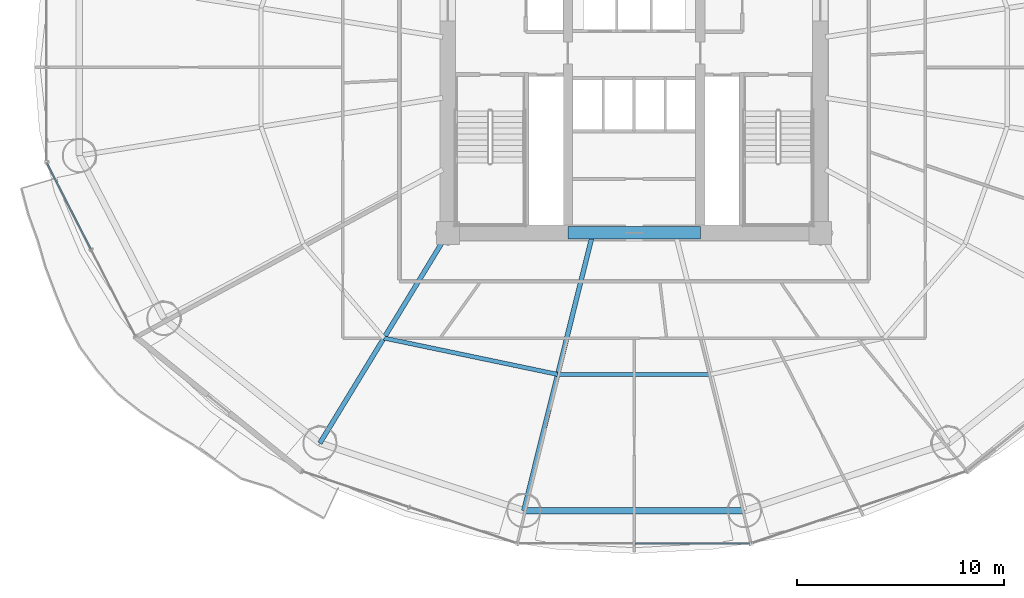
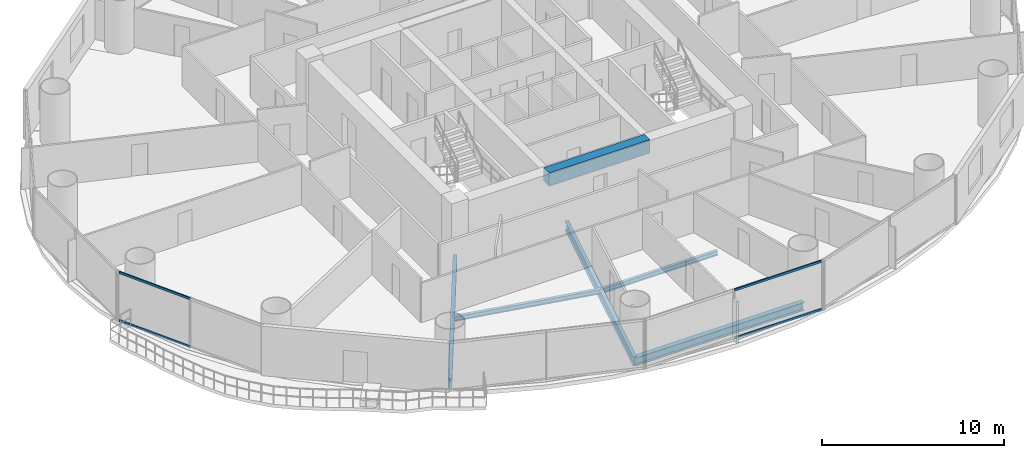
# One storey, part 6 of 30: 6 beams, 4 members, 2 elements without a shape of their own.
"""IFC4 building model written with IfcOpenShell, lengths in metres."""

from ifc_helpers import new_model, si_unit, direction, frame, origin, origin_2d, place, context, subcontext, project, spatial, rectangle, hollow_rectangle, i_section, extrude, source, transform, mapped, material, material_profile, profile_set, type_object, element, aggregate, save


model = new_model("IFC4")

# Units and contexts
model_context = context("Model", 3, precision=1e-05, world=origin(), true_north=direction((-0.2419218956, 0.970295726276)))
body_context = subcontext(model_context, "Body", "Model", "MODEL_VIEW")
ifc_project = project(units=[si_unit("LENGTHUNIT", "METRE"), si_unit("AREAUNIT", "SQUARE_METRE"), si_unit("VOLUMEUNIT", "CUBIC_METRE"), si_unit("PLANEANGLEUNIT", "RADIAN"), si_unit("MASSUNIT", "GRAM", prefix="KILO")], contexts=[model_context])

# Site, building, storey
site_placement = place(None, origin())
site = spatial("IfcSite", under=ifc_project, at=site_placement, CompositionType="ELEMENT")
building_placement = place(site_placement, origin())
building = spatial("IfcBuilding", under=site, at=building_placement, Name="Cobrevalo Terracotta Tower", CompositionType="ELEMENT")
storey_placement = place(building_placement, frame((0.0, 0.0, 56.39990234375)))
storey = spatial("IfcBuildingStorey", under=building, at=storey_placement, Name="L14", CompositionType="ELEMENT", Elevation=56.39990234375)

# Beams
ifc_material_1 = material(Name="Concrete C60", Category="concrete")
ifc_material_profile_1 = material_profile(ifc_material_1, rectangle(XDim=0.60009765625, YDim=0.89990234375, at=origin_2d()), Name="RC CB 600x900")
ifc_profile_set_1 = profile_set([ifc_material_profile_1], Name="Concrete C60")
beam_type_1 = type_object("IfcBeamType", Name="Structural Beam RC CB 600x900 (Concrete C60)", PredefinedType="BEAM", material=ifc_profile_set_1)
beam_1_placement = place(storey_placement, frame((34.800048828125, 18.800048828125, 2.8701171875), z_axis=(1.0, 0.0, 0.0), x_axis=(0.0, 1.0, 0.0)))
element("IfcBeam", 1, at=beam_1_placement, inside=storey, type_object=beam_type_1, Name="L14 core coupling beam 1", PredefinedType="BEAM", context=body_context, shape_type="SweptSolid", body=[
    extrude(rectangle(XDim=0.60009765625, YDim=0.89990234375, at=origin_2d()), origin(), (0.0, 0.0, 1.0), 6.39990234375),
])
ifc_material_2 = material(Name="Steel S355", Category="steel")
ifc_material_profile_2 = material_profile(ifc_material_2, i_section(OverallWidth=0.22998046875, OverallDepth=0.616943359375, WebThickness=0.01318359375, FlangeThickness=0.022216796875, at=origin_2d()), Name="W 610x140")
ifc_profile_set_2 = profile_set([ifc_material_profile_2], Name="Steel S355")
beam_type_2 = type_object("IfcBeamType", Name="Structural Beam W 610x140 (Steel S355)", PredefinedType="BEAM", material=ifc_profile_set_2)
beam_2_placement = place(storey_placement, frame((22.80517578125, 8.63232421875, -0.58837890625), z_axis=(0.520300780853, 0.853983077961, 0.0), x_axis=(-0.853983077961, 0.520300780853, 0.0)))
element("IfcBeam", 2, at=beam_2_placement, inside=storey, type_object=beam_type_2, Name="L14 radial floor girder 11", PredefinedType="BEAM", context=body_context, shape_type="SweptSolid", body=[
    extrude(i_section(OverallWidth=0.22998046875, OverallDepth=0.616943359375, WebThickness=0.01318359375, FlangeThickness=0.022216796875, at=origin_2d()), origin(), (0.0, 0.0, 1.0), 11.90625),
])
beam_3_placement = place(storey_placement, frame((32.664306640625, 5.369873046875, -0.58837890625), z_axis=(0.241600470374, 0.970375810042, 0.0), x_axis=(-0.970375810042, 0.241600470374, 0.0)))
element("IfcBeam", 3, at=beam_3_placement, inside=storey, type_object=beam_type_2, Name="L14 radial floor girder 12", PredefinedType="BEAM", context=body_context, shape_type="SweptSolid", body=[
    extrude(i_section(OverallWidth=0.22998046875, OverallDepth=0.616943359375, WebThickness=0.01318359375, FlangeThickness=0.022216796875, at=origin_2d()), origin(), (0.0, 0.0, 1.0), 13.5771484375),
])
ifc_material_profile_3 = material_profile(ifc_material_2, i_section(OverallWidth=0.2041015625, OverallDepth=0.305908203125, WebThickness=0.008544921875, FlangeThickness=0.0146484375, at=origin_2d()), Name="W 310x67")
ifc_profile_set_3 = profile_set([ifc_material_profile_3], Name="Steel S355")
beam_type_3 = type_object("IfcBeamType", Name="Structural Joist W 310x67 (Steel S355)", PredefinedType="JOIST", material=ifc_profile_set_3)
beam_4_placement = place(storey_placement, frame((25.902587890625, 13.71630859375, -0.432861328125), z_axis=(0.978784523904, -0.204892302848, 0.0), x_axis=(0.204892302848, 0.978784523904, 0.0)))
element("IfcBeam", 4, at=beam_4_placement, inside=storey, type_object=beam_type_3, Name="L14 circumferential secondary floor joist 11", PredefinedType="JOIST", context=body_context, shape_type="SweptSolid", body=[
    extrude(i_section(OverallWidth=0.2041015625, OverallDepth=0.305908203125, WebThickness=0.008544921875, FlangeThickness=0.0146484375, at=origin_2d()), origin(), (0.0, 0.0, 1.0), 8.583984375),
])
beam_5_placement = place(storey_placement, frame((34.304443359375, 11.95751953125, -0.432861328125), z_axis=(1.0, 0.0, 0.0), x_axis=(0.0, 1.0, 0.0)))
element("IfcBeam", 5, at=beam_5_placement, inside=storey, type_object=beam_type_3, Name="L14 circumferential secondary floor joist 12", PredefinedType="JOIST", context=body_context, shape_type="SweptSolid", body=[
    extrude(i_section(OverallWidth=0.2041015625, OverallDepth=0.305908203125, WebThickness=0.008544921875, FlangeThickness=0.0146484375, at=origin_2d()), origin(), (0.0, 0.0, 1.0), 7.39111328125),
])
ifc_material_profile_4 = material_profile(ifc_material_2, i_section(OverallWidth=0.31201171875, OverallDepth=0.54296875, WebThickness=0.0126953125, FlangeThickness=0.020263671875, at=origin_2d()), Name="W 530x150")
ifc_profile_set_4 = profile_set([ifc_material_profile_4], Name="Steel S355")
beam_type_4 = type_object("IfcBeamType", Name="Structural Spandrel W 530x150 (Steel S355)", PredefinedType="SPANDREL", material=ifc_profile_set_4)
beam_6_placement = place(storey_placement, frame((32.664306640625, 5.369873046875, -0.551513671875), z_axis=(1.0, 0.0, 0.0), x_axis=(0.0, 1.0, 0.0)))
element("IfcBeam", 6, at=beam_6_placement, inside=storey, type_object=beam_type_4, Name="L14 perimeter ring spandrel 12", PredefinedType="SPANDREL", context=body_context, shape_type="SweptSolid", body=[
    extrude(i_section(OverallWidth=0.31201171875, OverallDepth=0.54296875, WebThickness=0.0126953125, FlangeThickness=0.020263671875, at=origin_2d()), origin(), (0.0, 0.0, 1.0), 10.67138671875),
])

# Curtain wall, members
ifc_material_3 = material(Name="Anodized aluminium", Category="aluminium")
curtain_wall_type = type_object("IfcCurtainWallType", Name="Lower-tower unitised acoustic low-E curtain wall CW-U1", PredefinedType="NOTDEFINED", material=ifc_material_3)
curtain_wall_1_placement = place(storey_placement, origin())
curtain_wall_1 = element("IfcCurtainWall", 7, at=curtain_wall_1_placement, inside=storey, type_object=curtain_wall_type, Name="L14 curtain wall CW-L14-S12", PredefinedType="NOTDEFINED")
ifc_material_profile_5 = material_profile(ifc_material_3, hollow_rectangle(XDim=0.074951171875, YDim=0.14990234375, WallThickness=0.00439453125, at=origin_2d()), Name="CWT 75x150")
ifc_profile_set_5 = profile_set([ifc_material_profile_5], Name="Anodized aluminium")
member_type = type_object("IfcMemberType", Name="Tower unitised aluminium transom 75x150", PredefinedType="USERDEFINED", material=ifc_profile_set_5)
shared_shape_1 = source(origin(), body_context, "Body", "SweptSolid", [
    extrude(hollow_rectangle(XDim=0.074951171875, YDim=0.14990234375, WallThickness=0.00439453125, at=origin_2d()), origin(), (0.0, 0.0, 1.0), 5.53173828125),
])
member_1_placement = place(storey_placement, frame((38.0400390625, 3.781005859375, 0.050048828125), z_axis=(1.0, 0.0, 0.0), x_axis=(0.0, 1.0, 0.0)))
member_1 = element("IfcMember", 8, at=member_1_placement, type_object=member_type, Name="CW-L14-S12 transom B02-T1", ObjectType="TRANSOM", PredefinedType="USERDEFINED", context=body_context, shape_type="MappedRepresentation", body=[
    mapped(shared_shape_1, transform((0.0, 0.0, 0.0), scale=1.0)),
])
member_2_placement = place(storey_placement, frame((38.0400390625, 3.781005859375, 3.27001953125), z_axis=(1.0, 0.0, 0.0), x_axis=(0.0, 1.0, 0.0)))
member_2 = element("IfcMember", 9, at=member_2_placement, type_object=member_type, Name="CW-L14-S12 transom B02-T2", ObjectType="TRANSOM", PredefinedType="USERDEFINED", context=body_context, shape_type="MappedRepresentation", body=[
    mapped(shared_shape_1, transform((0.0, 0.0, 0.0), scale=1.0)),
])
aggregate(curtain_wall_1, [member_1, member_2])

curtain_wall_2_placement = place(storey_placement, origin())
curtain_wall_2 = element("IfcCurtainWall", 10, at=curtain_wall_2_placement, inside=storey, type_object=curtain_wall_type, Name="L14 curtain wall CW-L14-S09", PredefinedType="NOTDEFINED")
shared_shape_2 = source(origin(), body_context, "Body", "SweptSolid", [
    extrude(hollow_rectangle(XDim=0.074951171875, YDim=0.14990234375, WallThickness=0.00439453125, at=origin_2d()), origin(), (0.0, 0.0, 1.0), 4.630859375),
])
member_3_placement = place(storey_placement, frame((9.623046875, 22.14990234375, 0.050048828125), z_axis=(0.455229952508, -0.890373904795, 0.0), x_axis=(0.890373904795, 0.455229952508, 0.0)))
member_3 = element("IfcMember", 11, at=member_3_placement, type_object=member_type, Name="CW-L14-S09 transom B01-T1", ObjectType="TRANSOM", PredefinedType="USERDEFINED", context=body_context, shape_type="MappedRepresentation", body=[
    mapped(shared_shape_2, transform((0.0, 0.0, 0.0), scale=1.0)),
])
member_4_placement = place(storey_placement, frame((9.623046875, 22.14990234375, 3.27001953125), z_axis=(0.455229952508, -0.890373904795, 0.0), x_axis=(0.890373904795, 0.455229952508, 0.0)))
member_4 = element("IfcMember", 12, at=member_4_placement, type_object=member_type, Name="CW-L14-S09 transom B01-T2", ObjectType="TRANSOM", PredefinedType="USERDEFINED", context=body_context, shape_type="MappedRepresentation", body=[
    mapped(shared_shape_2, transform((0.0, 0.0, 0.0), scale=1.0)),
])
aggregate(curtain_wall_2, [member_3, member_4])

save(model, "model.ifc")
